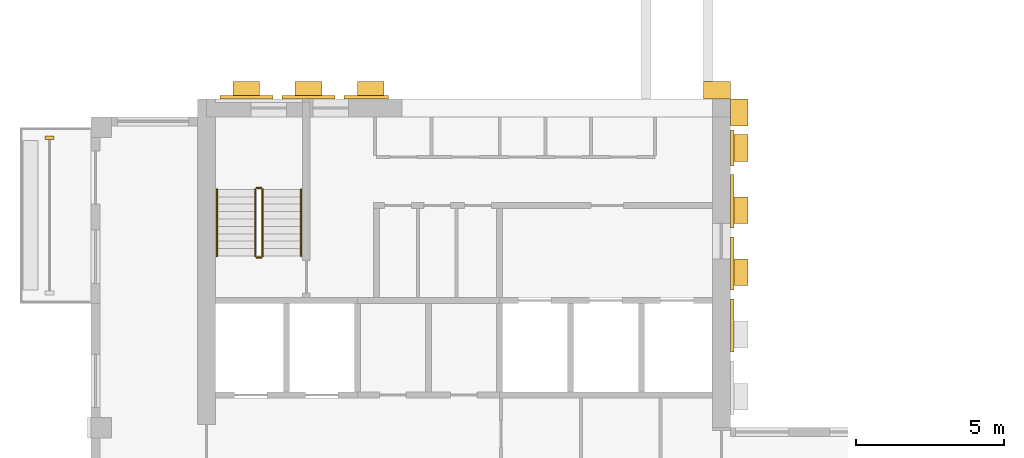
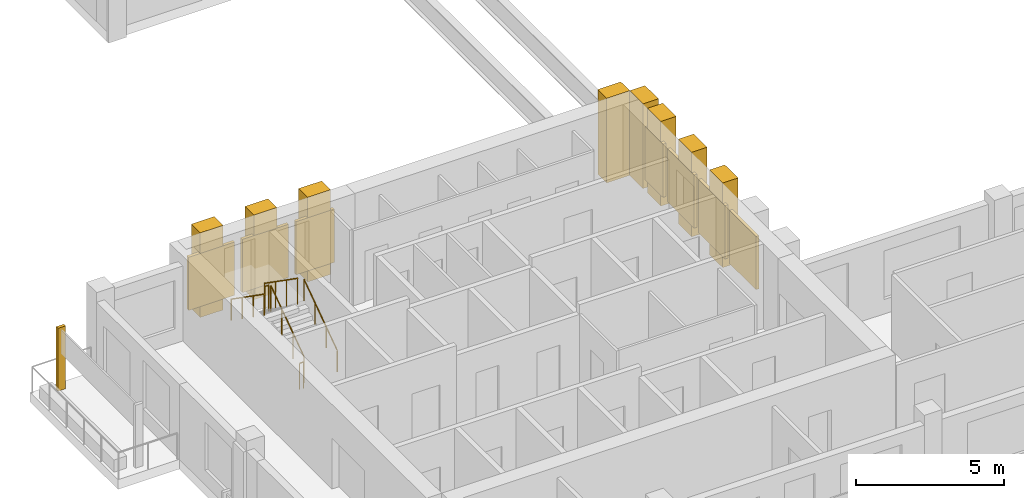
# One storey, part 7 of 9: 16 coverings, 6 railings.
"""IFC4 building model written with IfcOpenShell, lengths in metres."""

from ifc_helpers import new_model, si_unit, direction, frame, origin, origin_2d, place, context, subcontext, project, spatial, rectangle, circle, extrude, source, transform, mapped, material, type_object, element, save


model = new_model("IFC4")

# Units and contexts
model_context = context("Model", 3, precision=1e-05, world=origin(), true_north=direction((0.0, 1.0)))
body_context = subcontext(model_context, "Body", "Model", "MODEL_VIEW")
ifc_project = project(units=[si_unit("LENGTHUNIT", "METRE"), si_unit("AREAUNIT", "SQUARE_METRE"), si_unit("VOLUMEUNIT", "CUBIC_METRE"), si_unit("PLANEANGLEUNIT", "RADIAN"), si_unit("MASSUNIT", "GRAM", prefix="KILO")], contexts=[model_context])

# Site, building, storey
site_placement = place(None, origin())
site = spatial("IfcSite", under=ifc_project, at=site_placement, CompositionType="ELEMENT")
building_placement = place(site_placement, origin())
building = spatial("IfcBuilding", under=site, at=building_placement, Name="Aurelian Terraces", CompositionType="ELEMENT")
storey_placement = place(building_placement, frame((0.0, 0.0, 319.5)))
storey = spatial("IfcBuildingStorey", under=building, at=storey_placement, Name="L74", CompositionType="ELEMENT", Elevation=319.5)

# Coverings
ifc_material_1 = material(Name="Terracotta rainscreen cladding relief", Category="masonry")
covering_type_1 = type_object("IfcCoveringType", Name="FIN-TC", PredefinedType="CLADDING", material=ifc_material_1)
shared_shape_1 = source(origin(), body_context, "Body", "SweptSolid", [
    extrude(rectangle(XDim=0.3, YDim=0.12, at=origin_2d()), origin(), (0.0, 0.0, 1.0), 2.6),
])
covering_1_placement = place(storey_placement, frame((-1.4, 20.3, 0.0), z_axis=(0.0, 0.0, 1.0), x_axis=(1.0, 0.0, 0.0)))
element("IfcCovering", 1, at=covering_1_placement, inside=storey, type_object=covering_type_1, Name="FIN L74 L74-F12-18.1", PredefinedType="CLADDING", context=body_context, shape_type="MappedRepresentation", body=[
    mapped(shared_shape_1, transform((0.0, 0.0, 0.0), scale=1.0)),
])
ifc_material_2 = material(Name="Terracotta rainscreen cladding louvre blades", Category="masonry")
covering_type_2 = type_object("IfcCoveringType", Name="LOUVRE-TC", PredefinedType="CLADDING", material=ifc_material_2)
shared_shape_2 = source(origin(), body_context, "Body", "SweptSolid", [
    extrude(rectangle(XDim=0.12, YDim=1.8, at=origin_2d()), origin(), (0.0, 0.0, 1.0), 2.2),
])
for number, where, z_axis, x_axis, name in (
    (2, (21.66, 13.95, 0.45), (0.0, 0.0, 1.0), (1.0, 0.0, 0.0), "LOUVRE L74 core face E.2"),
    (3, (21.66, 16.05, 0.45), (0.0, 0.0, 1.0), (1.0, 0.0, 0.0), "LOUVRE L74 core face E.3"),
    (4, (21.66, 18.15, 0.45), (0.0, 0.0, 1.0), (1.0, 0.0, 0.0), "LOUVRE L74 core face E.4"),
):
    element("IfcCovering", number, at=place(storey_placement, frame(where, z_axis=z_axis, x_axis=x_axis)), inside=storey, type_object=covering_type_2, Name=name, PredefinedType="CLADDING", context=body_context, shape_type="MappedRepresentation", body=[
        mapped(shared_shape_2, transform((0.0, 0.0, 0.0), scale=1.0)),
    ])
shared_shape_3 = source(origin(), body_context, "Body", "SweptSolid", [
    extrude(rectangle(XDim=1.8, YDim=0.12, at=origin_2d()), origin(), (0.0, 0.0, 1.0), 2.2),
])
for number, where, z_axis, x_axis, name in (
    (5, (5.25, 21.66, 0.45), (0.0, 0.0, 1.0), (1.0, 0.0, 0.0), "LOUVRE L74 core face N.1"),
    (6, (7.35, 21.66, 0.45), (0.0, 0.0, 1.0), (1.0, 0.0, 0.0), "LOUVRE L74 core face N.2"),
):
    element("IfcCovering", number, at=place(storey_placement, frame(where, z_axis=z_axis, x_axis=x_axis)), inside=storey, type_object=covering_type_2, Name=name, PredefinedType="CLADDING", context=body_context, shape_type="MappedRepresentation", body=[
        mapped(shared_shape_3, transform((0.0, 0.0, 0.0), scale=1.0)),
    ])
shared_shape_4 = source(origin(), body_context, "Body", "SweptSolid", [
    extrude(rectangle(XDim=0.12, YDim=1.2, at=origin_2d()), origin(), (0.0, 0.0, 1.0), 2.2),
])
covering_2_placement = place(storey_placement, frame((21.66, 19.95, 0.45), z_axis=(0.0, 0.0, 1.0), x_axis=(1.0, 0.0, 0.0)))
element("IfcCovering", 7, at=covering_2_placement, inside=storey, type_object=covering_type_2, Name="LOUVRE L74 core face E.5", PredefinedType="CLADDING", context=body_context, shape_type="MappedRepresentation", body=[
    mapped(shared_shape_4, transform((0.0, 0.0, 0.0), scale=1.0)),
])
shared_shape_5 = source(origin(), body_context, "Body", "SweptSolid", [
    extrude(rectangle(XDim=1.5, YDim=0.12, at=origin_2d()), origin(), (0.0, 0.0, 1.0), 2.2),
])
covering_3_placement = place(storey_placement, frame((9.3, 21.66, 0.45), z_axis=(0.0, 0.0, 1.0), x_axis=(1.0, 0.0, 0.0)))
element("IfcCovering", 8, at=covering_3_placement, inside=storey, type_object=covering_type_2, Name="LOUVRE L74 core face N.3", PredefinedType="CLADDING", context=body_context, shape_type="MappedRepresentation", body=[
    mapped(shared_shape_5, transform((0.0, 0.0, 0.0), scale=1.0)),
])

# Railings
ifc_material_3 = material(Name="Stainless steel", Category="steel")
railing_type_1 = type_object("IfcRailingType", Name="Stair guard 1100", PredefinedType="GUARDRAIL", material=ifc_material_3)
shared_shape_6 = source(origin(), body_context, "Body", "SweptSolid", [
    extrude(circle(Radius=0.024, at=origin_2d()), frame((0.0, 0.0, 1.076), z_axis=(-1.0, 0.0, 0.0), x_axis=(0.0, -1.0, 0.0)), (0.0, 0.0, 1.0), 0.15),
    extrude(circle(Radius=0.021, at=origin_2d()), origin(), (0.0, 0.0, 1.0), 1.052),
    extrude(circle(Radius=0.021, at=origin_2d()), frame((-0.15, 0.0, 0.0)), (0.0, 0.0, 1.0), 1.052),
])
for number, where, name in (
    (9, (5.75, 18.6, 1.75), "L74 S1 stair guard 2"),
    (10, (5.75, 16.25, 0.0), "L74 S1 stair guard 4"),
):
    element("IfcRailing", number, at=place(storey_placement, frame(where)), inside=storey, type_object=railing_type_1, Name=name, PredefinedType="GUARDRAIL", context=body_context, shape_type="MappedRepresentation", body=[
        mapped(shared_shape_6, transform((0.0, 0.0, 0.0), scale=1.0)),
    ])
shared_shape_7 = source(origin(), body_context, "Body", "SweptSolid", [
    extrude(circle(Radius=0.024, at=origin_2d()), frame((0.0, 0.0, 1.076), z_axis=(0.0, 0.819231920519, 0.573462344363), x_axis=(-1.0, 0.0, 0.0)), (0.0, 0.0, 1.0), 2.7465),
    extrude(circle(Radius=0.021, at=origin_2d()), origin(), (0.0, 0.0, 1.0), 1.052),
    extrude(circle(Radius=0.021, at=origin_2d()), frame((0.0, 0.75, 0.525)), (0.0, 0.0, 1.0), 1.052),
    extrude(circle(Radius=0.021, at=origin_2d()), frame((0.0, 1.5, 1.05)), (0.0, 0.0, 1.0), 1.052),
    extrude(circle(Radius=0.021, at=origin_2d()), frame((0.0, 2.25, 1.575)), (0.0, 0.0, 1.0), 1.052),
])
railing_1_placement = place(storey_placement, frame((5.8, 16.3, 0.175)))
element("IfcRailing", 11, at=railing_1_placement, inside=storey, type_object=railing_type_1, Name="L74 S1 stair guard 1", PredefinedType="GUARDRAIL", context=body_context, shape_type="MappedRepresentation", body=[
    mapped(shared_shape_7, transform((0.0, 0.0, 0.0), scale=1.0)),
])
shared_shape_8 = source(origin(), body_context, "Body", "SweptSolid", [
    extrude(circle(Radius=0.024, at=origin_2d()), frame((0.0, 0.0, 1.076), z_axis=(0.0, -0.819231920519, 0.573462344363), x_axis=(1.0, 0.0, 0.0)), (0.0, 0.0, 1.0), 2.7465),
    extrude(circle(Radius=0.021, at=origin_2d()), origin(), (0.0, 0.0, 1.0), 1.052),
    extrude(circle(Radius=0.021, at=origin_2d()), frame((0.0, -0.75, 0.525)), (0.0, 0.0, 1.0), 1.052),
    extrude(circle(Radius=0.021, at=origin_2d()), frame((0.0, -1.5, 1.05)), (0.0, 0.0, 1.0), 1.052),
    extrude(circle(Radius=0.021, at=origin_2d()), frame((0.0, -2.25, 1.575)), (0.0, 0.0, 1.0), 1.052),
])
railing_2_placement = place(storey_placement, frame((5.55, 18.55, 1.925)))
element("IfcRailing", 12, at=railing_2_placement, inside=storey, type_object=railing_type_1, Name="L74 S1 stair guard 3", PredefinedType="GUARDRAIL", context=body_context, shape_type="MappedRepresentation", body=[
    mapped(shared_shape_8, transform((0.0, 0.0, 0.0), scale=1.0)),
])
railing_type_2 = type_object("IfcRailingType", Name="Stair handrail", PredefinedType="HANDRAIL", material=ifc_material_3)
shared_shape_9 = source(origin(), body_context, "Body", "SweptSolid", [
    extrude(circle(Radius=0.024, at=origin_2d()), frame((0.0, 0.0, 0.876), z_axis=(0.0, 0.819231920519, 0.573462344363), x_axis=(-1.0, 0.0, 0.0)), (0.0, 0.0, 1.0), 2.7465),
    extrude(circle(Radius=0.021, at=origin_2d()), origin(), (0.0, 0.0, 1.0), 0.852),
    extrude(circle(Radius=0.021, at=origin_2d()), frame((0.0, 0.75, 0.525)), (0.0, 0.0, 1.0), 0.852),
    extrude(circle(Radius=0.021, at=origin_2d()), frame((0.0, 1.5, 1.05)), (0.0, 0.0, 1.0), 0.852),
    extrude(circle(Radius=0.021, at=origin_2d()), frame((0.0, 2.25, 1.575)), (0.0, 0.0, 1.0), 0.852),
])
railing_3_placement = place(storey_placement, frame((7.1, 16.3, 0.175)))
element("IfcRailing", 13, at=railing_3_placement, inside=storey, type_object=railing_type_2, Name="L74 S1 stair handrail 1", PredefinedType="HANDRAIL", context=body_context, shape_type="MappedRepresentation", body=[
    mapped(shared_shape_9, transform((0.0, 0.0, 0.0), scale=1.0)),
])
shared_shape_10 = source(origin(), body_context, "Body", "SweptSolid", [
    extrude(circle(Radius=0.024, at=origin_2d()), frame((0.0, 0.0, 0.876), z_axis=(0.0, -0.819231920519, 0.573462344363), x_axis=(1.0, 0.0, 0.0)), (0.0, 0.0, 1.0), 2.7465),
    extrude(circle(Radius=0.021, at=origin_2d()), origin(), (0.0, 0.0, 1.0), 0.852),
    extrude(circle(Radius=0.021, at=origin_2d()), frame((0.0, -0.75, 0.525)), (0.0, 0.0, 1.0), 0.852),
    extrude(circle(Radius=0.021, at=origin_2d()), frame((0.0, -1.5, 1.05)), (0.0, 0.0, 1.0), 0.852),
    extrude(circle(Radius=0.021, at=origin_2d()), frame((0.0, -2.25, 1.575)), (0.0, 0.0, 1.0), 0.852),
])
railing_4_placement = place(storey_placement, frame((4.25, 18.55, 1.925)))
element("IfcRailing", 14, at=railing_4_placement, inside=storey, type_object=railing_type_2, Name="L74 S1 stair handrail 2", PredefinedType="HANDRAIL", context=body_context, shape_type="MappedRepresentation", body=[
    mapped(shared_shape_10, transform((0.0, 0.0, 0.0), scale=1.0)),
])

# Coverings
covering_type_3 = type_object("IfcCoveringType", Name="Core spine pier 900x600", PredefinedType="CLADDING", material=ifc_material_1)
shared_shape_11 = source(origin(), body_context, "Body", "SweptSolid", [
    extrude(rectangle(XDim=0.6, YDim=0.9, at=origin_2d()), origin(), (0.0, 0.0, 1.0), 3.5),
])
for number, where, z_axis, x_axis, name in (
    (15, (21.9, 15.75, 0.0), (0.0, 0.0, 1.0), (1.0, 0.0, 0.0), "Spine pier L74 E3"),
    (16, (21.9, 17.85, 0.0), (0.0, 0.0, 1.0), (1.0, 0.0, 0.0), "Spine pier L74 E4"),
    (17, (21.9, 19.95, 0.0), (0.0, 0.0, 1.0), (1.0, 0.0, 0.0), "Spine pier L74 E5"),
    (18, (21.9, 21.15, 0.0), (0.0, 0.0, 1.0), (1.0, 0.0, 0.0), "Spine pier L74 corner east"),
):
    element("IfcCovering", number, at=place(storey_placement, frame(where, z_axis=z_axis, x_axis=x_axis)), inside=storey, type_object=covering_type_3, Name=name, PredefinedType="CLADDING", context=body_context, shape_type="MappedRepresentation", body=[
        mapped(shared_shape_11, transform((0.0, 0.0, 0.0), scale=1.0)),
    ])
shared_shape_12 = source(origin(), body_context, "Body", "SweptSolid", [
    extrude(rectangle(XDim=0.9, YDim=0.6, at=origin_2d()), origin(), (0.0, 0.0, 1.0), 3.5),
])
for number, where, z_axis, x_axis, name in (
    (19, (5.25, 21.9, 0.0), (0.0, 0.0, 1.0), (1.0, 0.0, 0.0), "Spine pier L74 N6"),
    (20, (7.35, 21.9, 0.0), (0.0, 0.0, 1.0), (1.0, 0.0, 0.0), "Spine pier L74 N7"),
    (21, (9.45, 21.9, 0.0), (0.0, 0.0, 1.0), (1.0, 0.0, 0.0), "Spine pier L74 N8"),
    (22, (21.15, 21.9, 0.0), (0.0, 0.0, 1.0), (1.0, 0.0, 0.0), "Spine pier L74 corner north"),
):
    element("IfcCovering", number, at=place(storey_placement, frame(where, z_axis=z_axis, x_axis=x_axis)), inside=storey, type_object=covering_type_3, Name=name, PredefinedType="CLADDING", context=body_context, shape_type="MappedRepresentation", body=[
        mapped(shared_shape_12, transform((0.0, 0.0, 0.0), scale=1.0)),
    ])

save(model, "model.ifc")
